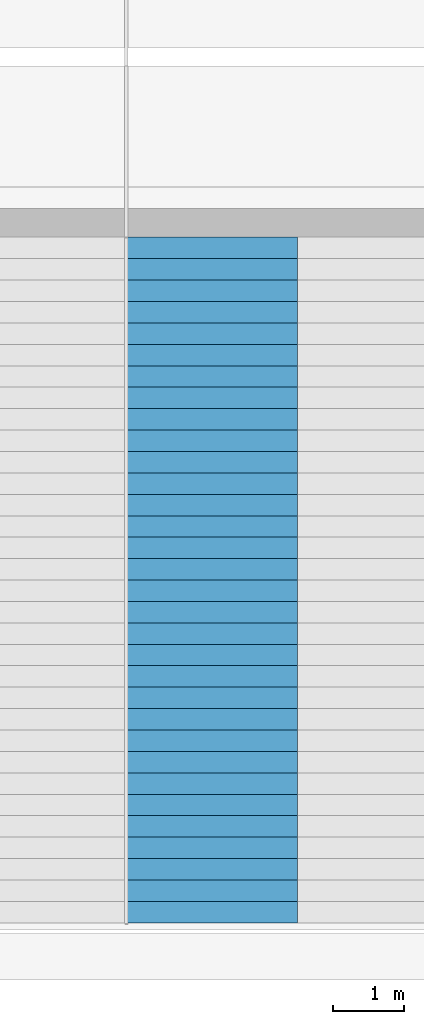
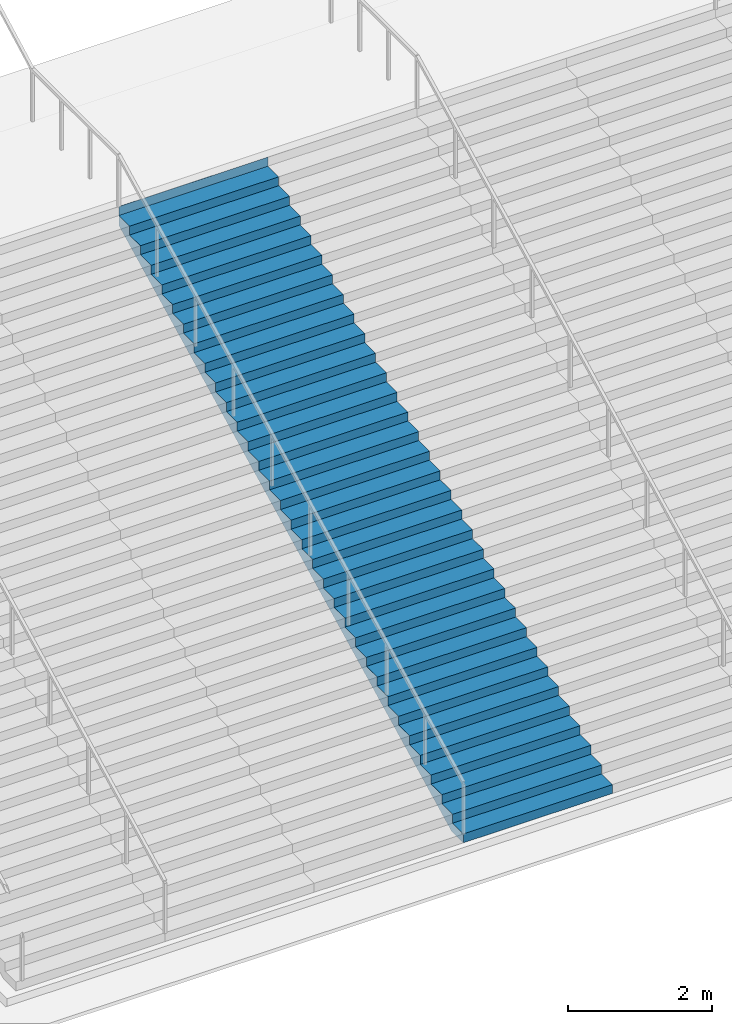
# One storey, part 33 of 57: 1 stair flight, 1 element without a shape of its own.
"""IFC4 building model written with IfcOpenShell, lengths in metres."""

from ifc_helpers import new_model, si_unit, direction, frame, origin, place, context, subcontext, project, spatial, triangles, material, type_object, element, aggregate, save


model = new_model("IFC4")

# Units and contexts
model_context = context("Model", 3, precision=1e-05, world=origin(), true_north=direction((0.0, 1.0)))
body_context = subcontext(model_context, "Body", "Model", "MODEL_VIEW")
ifc_project = project(units=[si_unit("LENGTHUNIT", "METRE"), si_unit("AREAUNIT", "SQUARE_METRE"), si_unit("VOLUMEUNIT", "CUBIC_METRE"), si_unit("PLANEANGLEUNIT", "RADIAN"), si_unit("MASSUNIT", "GRAM", prefix="KILO")], contexts=[model_context])

# Site, building, storey
site_placement = place(None, origin())
site = spatial("IfcSite", under=ifc_project, at=site_placement, CompositionType="ELEMENT")
building_placement = place(site_placement, origin())
building = spatial("IfcBuilding", under=site, at=building_placement, Name="Beryl Residences", CompositionType="ELEMENT")
storey_placement = place(building_placement, origin())
storey = spatial("IfcBuildingStorey", under=building, at=storey_placement, Name="L00", CompositionType="ELEMENT", Elevation=0.0)

# Stair, stair flight
ifc_material_1 = material(Name="Precast concrete C40/50", Category="concrete")
stair_type = type_object("IfcStairType", Name="GS1 garden stair", PredefinedType="STRAIGHT_RUN_STAIR", material=ifc_material_1)
stair_placement = place(storey_placement, origin())
stair = element("IfcStair", 1, at=stair_placement, inside=storey, type_object=stair_type, Name="GS1 garden stair", PredefinedType="STRAIGHT_RUN_STAIR")
ifc_material_2 = material(Name="Precast concrete C40/50", Category="concrete")
stair_flight_type = type_object("IfcStairFlightType", Name="GF1 garden stair flight", PredefinedType="STRAIGHT", material=ifc_material_2)
stair_flight_placement = place(storey_placement, frame((-3.60009765625, -54.199951171875, 0.0), z_axis=(0.0, 0.0, 1.0), x_axis=(0.0, 1.0, 0.0)))
stair_flight = element("IfcStairFlight", 2, at=stair_flight_placement, type_object=stair_flight_type, Name="GS1 flight 4", NumberOfRisers=33, NumberOfTreads=32, PredefinedType="STRAIGHT", RiserHeight=0.151515152, TreadLength=0.3, context=body_context, shape_type="Tessellation", body=[
    triangles([(0.0, -1.199951171875, 0.0), (0.0, -0.60009765625, 0.0), (0.0, 0.0, 0.0), (0.0, 0.60009765625, 0.0), (0.0, 1.199951171875, 0.0), (0.0, -1.199951171875, 0.151611328125), (0.0, -0.60009765625, 0.151611328125), (0.0, 0.0, 0.151611328125), (0.0, 0.60009765625, 0.151611328125), (0.0, 1.199951171875, 0.151611328125), (0.300048828125, -1.199951171875, 0.151611328125), (0.300048828125, -0.60009765625, 0.151611328125), (0.300048828125, 0.0, 0.151611328125), (0.300048828125, 0.60009765625, 0.151611328125), (0.300048828125, 1.199951171875, 0.151611328125), (0.300048828125, -1.199951171875, 0.302978515625), (0.300048828125, -0.60009765625, 0.302978515625), (0.300048828125, 0.0, 0.302978515625), (0.300048828125, 0.60009765625, 0.302978515625), (0.300048828125, 1.199951171875, 0.302978515625), (0.60009765625, -1.199951171875, 0.302978515625), (0.60009765625, -0.60009765625, 0.302978515625), (0.60009765625, 0.0, 0.302978515625), (0.60009765625, 0.60009765625, 0.302978515625), (0.60009765625, 1.199951171875, 0.302978515625), (0.60009765625, -1.199951171875, 0.45458984375), (0.60009765625, -0.60009765625, 0.45458984375), (0.60009765625, 0.0, 0.45458984375), (0.60009765625, 0.60009765625, 0.45458984375), (0.60009765625, 1.199951171875, 0.45458984375), (0.89990234375, -1.199951171875, 0.45458984375), (0.89990234375, -0.60009765625, 0.45458984375), (0.89990234375, 0.0, 0.45458984375), (0.89990234375, 0.60009765625, 0.45458984375), (0.89990234375, 1.199951171875, 0.45458984375), (0.89990234375, -1.199951171875, 0.60595703125), (0.89990234375, -0.60009765625, 0.60595703125), (0.89990234375, 0.0, 0.60595703125), (0.89990234375, 0.60009765625, 0.60595703125), (0.89990234375, 1.199951171875, 0.60595703125), (1.199951171875, -1.199951171875, 0.60595703125), (1.199951171875, -0.60009765625, 0.60595703125), (1.199951171875, 0.0, 0.60595703125), (1.199951171875, 0.60009765625, 0.60595703125), (1.199951171875, 1.199951171875, 0.60595703125), (1.199951171875, -1.199951171875, 0.757568359375), (1.199951171875, -0.60009765625, 0.757568359375), (1.199951171875, 0.0, 0.757568359375), (1.199951171875, 0.60009765625, 0.757568359375), (1.199951171875, 1.199951171875, 0.757568359375), (1.5, -1.199951171875, 0.757568359375), (1.5, -0.60009765625, 0.757568359375), (1.5, 0.0, 0.757568359375), (1.5, 0.60009765625, 0.757568359375), (1.5, 1.199951171875, 0.757568359375), (1.5, -1.199951171875, 0.9091796875), (1.5, -0.60009765625, 0.9091796875), (1.5, 0.0, 0.9091796875), (1.5, 0.60009765625, 0.9091796875), (1.5, 1.199951171875, 0.9091796875), (1.800048828125, -1.199951171875, 0.9091796875), (1.800048828125, -0.60009765625, 0.9091796875), (1.800048828125, 0.0, 0.9091796875), (1.800048828125, 0.60009765625, 0.9091796875), (1.800048828125, 1.199951171875, 0.9091796875), (1.800048828125, -1.199951171875, 1.060546875), (1.800048828125, -0.60009765625, 1.060546875), (1.800048828125, 0.0, 1.060546875), (1.800048828125, 0.60009765625, 1.060546875), (1.800048828125, 1.199951171875, 1.060546875), (2.10009765625, -1.199951171875, 1.060546875), (2.10009765625, -0.60009765625, 1.060546875), (2.10009765625, 0.0, 1.060546875), (2.10009765625, 0.60009765625, 1.060546875), (2.10009765625, 1.199951171875, 1.060546875), (2.10009765625, -1.199951171875, 1.212158203125), (2.10009765625, -0.60009765625, 1.212158203125), (2.10009765625, 0.0, 1.212158203125), (2.10009765625, 0.60009765625, 1.212158203125), (2.10009765625, 1.199951171875, 1.212158203125), (2.39990234375, -1.199951171875, 1.212158203125), (2.39990234375, -0.60009765625, 1.212158203125), (2.39990234375, 0.0, 1.212158203125), (2.39990234375, 0.60009765625, 1.212158203125), (2.39990234375, 1.199951171875, 1.212158203125), (2.39990234375, -1.199951171875, 1.363525390625), (2.39990234375, -0.60009765625, 1.363525390625), (2.39990234375, 0.0, 1.363525390625), (2.39990234375, 0.60009765625, 1.363525390625), (2.39990234375, 1.199951171875, 1.363525390625), (2.699951171875, -1.199951171875, 1.363525390625), (2.699951171875, -0.60009765625, 1.363525390625), (2.699951171875, 0.0, 1.363525390625), (2.699951171875, 0.60009765625, 1.363525390625), (2.699951171875, 1.199951171875, 1.363525390625), (2.699951171875, -1.199951171875, 1.51513671875), (2.699951171875, -0.60009765625, 1.51513671875), (2.699951171875, 0.0, 1.51513671875), (2.699951171875, 0.60009765625, 1.51513671875), (2.699951171875, 1.199951171875, 1.51513671875), (3.0, -1.199951171875, 1.51513671875), (3.0, -0.60009765625, 1.51513671875), (3.0, 0.0, 1.51513671875), (3.0, 0.60009765625, 1.51513671875), (3.0, 1.199951171875, 1.51513671875), (3.0, -1.199951171875, 1.666748046875), (3.0, -0.60009765625, 1.666748046875), (3.0, 0.0, 1.666748046875), (3.0, 0.60009765625, 1.666748046875), (3.0, 1.199951171875, 1.666748046875), (3.300048828125, -1.199951171875, 1.666748046875), (3.300048828125, -0.60009765625, 1.666748046875), (3.300048828125, 0.0, 1.666748046875), (3.300048828125, 0.60009765625, 1.666748046875), (3.300048828125, 1.199951171875, 1.666748046875), (3.300048828125, -1.199951171875, 1.818115234375), (3.300048828125, -0.60009765625, 1.818115234375), (3.300048828125, 0.0, 1.818115234375), (3.300048828125, 0.60009765625, 1.818115234375), (3.300048828125, 1.199951171875, 1.818115234375), (3.60009765625, -1.199951171875, 1.818115234375), (3.60009765625, -0.60009765625, 1.818115234375), (3.60009765625, 0.0, 1.818115234375), (3.60009765625, 0.60009765625, 1.818115234375), (3.60009765625, 1.199951171875, 1.818115234375), (3.60009765625, -1.199951171875, 1.9697265625), (3.60009765625, -0.60009765625, 1.9697265625), (3.60009765625, 0.0, 1.9697265625), (3.60009765625, 0.60009765625, 1.9697265625), (3.60009765625, 1.199951171875, 1.9697265625), (3.89990234375, -1.199951171875, 1.9697265625), (3.89990234375, -0.60009765625, 1.9697265625), (3.89990234375, 0.0, 1.9697265625), (3.89990234375, 0.60009765625, 1.9697265625), (3.89990234375, 1.199951171875, 1.9697265625), (3.89990234375, -1.199951171875, 2.12109375), (3.89990234375, -0.60009765625, 2.12109375), (3.89990234375, 0.0, 2.12109375), (3.89990234375, 0.60009765625, 2.12109375), (3.89990234375, 1.199951171875, 2.12109375), (4.199951171875, -1.199951171875, 2.12109375), (4.199951171875, -0.60009765625, 2.12109375), (4.199951171875, 0.0, 2.12109375), (4.199951171875, 0.60009765625, 2.12109375), (4.199951171875, 1.199951171875, 2.12109375), (4.199951171875, -1.199951171875, 2.272705078125), (4.199951171875, -0.60009765625, 2.272705078125), (4.199951171875, 0.0, 2.272705078125), (4.199951171875, 0.60009765625, 2.272705078125), (4.199951171875, 1.199951171875, 2.272705078125), (4.5, -1.199951171875, 2.272705078125), (4.5, -0.60009765625, 2.272705078125), (4.5, 0.0, 2.272705078125), (4.5, 0.60009765625, 2.272705078125), (4.5, 1.199951171875, 2.272705078125), (4.5, -1.199951171875, 2.42431640625), (4.5, -0.60009765625, 2.42431640625), (4.5, 0.0, 2.42431640625), (4.5, 0.60009765625, 2.42431640625), (4.5, 1.199951171875, 2.42431640625), (4.800048828125, -1.199951171875, 2.42431640625), (4.800048828125, -0.60009765625, 2.42431640625), (4.800048828125, 0.0, 2.42431640625), (4.800048828125, 0.60009765625, 2.42431640625), (4.800048828125, 1.199951171875, 2.42431640625), (4.800048828125, -1.199951171875, 2.57568359375), (4.800048828125, -0.60009765625, 2.57568359375), (4.800048828125, 0.0, 2.57568359375), (4.800048828125, 0.60009765625, 2.57568359375), (4.800048828125, 1.199951171875, 2.57568359375), (5.10009765625, -1.199951171875, 2.57568359375), (5.10009765625, -0.60009765625, 2.57568359375), (5.10009765625, 0.0, 2.57568359375), (5.10009765625, 0.60009765625, 2.57568359375), (5.10009765625, 1.199951171875, 2.57568359375), (5.10009765625, -1.199951171875, 2.727294921875), (5.10009765625, -0.60009765625, 2.727294921875), (5.10009765625, 0.0, 2.727294921875), (5.10009765625, 0.60009765625, 2.727294921875), (5.10009765625, 1.199951171875, 2.727294921875), (5.39990234375, -1.199951171875, 2.727294921875), (5.39990234375, -0.60009765625, 2.727294921875), (5.39990234375, 0.0, 2.727294921875), (5.39990234375, 0.60009765625, 2.727294921875), (5.39990234375, 1.199951171875, 2.727294921875), (5.39990234375, -1.199951171875, 2.87890625), (5.39990234375, -0.60009765625, 2.87890625), (5.39990234375, 0.0, 2.87890625), (5.39990234375, 0.60009765625, 2.87890625), (5.39990234375, 1.199951171875, 2.87890625), (5.699951171875, -1.199951171875, 2.87890625), (5.699951171875, -0.60009765625, 2.87890625), (5.699951171875, 0.0, 2.87890625), (5.699951171875, 0.60009765625, 2.87890625), (5.699951171875, 1.199951171875, 2.87890625), (5.699951171875, -1.199951171875, 3.0302734375), (5.699951171875, -0.60009765625, 3.0302734375), (5.699951171875, 0.0, 3.0302734375), (5.699951171875, 0.60009765625, 3.0302734375), (5.699951171875, 1.199951171875, 3.0302734375), (6.0, -1.199951171875, 3.0302734375), (6.0, -0.60009765625, 3.0302734375), (6.0, 0.0, 3.0302734375), (6.0, 0.60009765625, 3.0302734375), (6.0, 1.199951171875, 3.0302734375), (6.0, -1.199951171875, 3.181884765625), (6.0, -0.60009765625, 3.181884765625), (6.0, 0.0, 3.181884765625), (6.0, 0.60009765625, 3.181884765625), (6.0, 1.199951171875, 3.181884765625), (6.300048828125, -1.199951171875, 3.181884765625), (6.300048828125, -0.60009765625, 3.181884765625), (6.300048828125, 0.0, 3.181884765625), (6.300048828125, 0.60009765625, 3.181884765625), (6.300048828125, 1.199951171875, 3.181884765625), (6.300048828125, -1.199951171875, 3.333251953125), (6.300048828125, -0.60009765625, 3.333251953125), (6.300048828125, 0.0, 3.333251953125), (6.300048828125, 0.60009765625, 3.333251953125), (6.300048828125, 1.199951171875, 3.333251953125), (6.60009765625, -1.199951171875, 3.333251953125), (6.60009765625, -0.60009765625, 3.333251953125), (6.60009765625, 0.0, 3.333251953125), (6.60009765625, 0.60009765625, 3.333251953125), (6.60009765625, 1.199951171875, 3.333251953125), (6.60009765625, -1.199951171875, 3.48486328125), (6.60009765625, -0.60009765625, 3.48486328125), (6.60009765625, 0.0, 3.48486328125), (6.60009765625, 0.60009765625, 3.48486328125), (6.60009765625, 1.199951171875, 3.48486328125), (6.89990234375, -1.199951171875, 3.48486328125), (6.89990234375, -0.60009765625, 3.48486328125), (6.89990234375, 0.0, 3.48486328125), (6.89990234375, 0.60009765625, 3.48486328125), (6.89990234375, 1.199951171875, 3.48486328125), (6.89990234375, -1.199951171875, 3.636474609375), (6.89990234375, -0.60009765625, 3.636474609375), (6.89990234375, 0.0, 3.636474609375), (6.89990234375, 0.60009765625, 3.636474609375), (6.89990234375, 1.199951171875, 3.636474609375), (7.199951171875, -1.199951171875, 3.636474609375), (7.199951171875, -0.60009765625, 3.636474609375), (7.199951171875, 0.0, 3.636474609375), (7.199951171875, 0.60009765625, 3.636474609375), (7.199951171875, 1.199951171875, 3.636474609375), (7.199951171875, -1.199951171875, 3.787841796875), (7.199951171875, -0.60009765625, 3.787841796875), (7.199951171875, 0.0, 3.787841796875), (7.199951171875, 0.60009765625, 3.787841796875), (7.199951171875, 1.199951171875, 3.787841796875), (7.5, -1.199951171875, 3.787841796875), (7.5, -0.60009765625, 3.787841796875), (7.5, 0.0, 3.787841796875), (7.5, 0.60009765625, 3.787841796875), (7.5, 1.199951171875, 3.787841796875), (7.5, -1.199951171875, 3.939453125), (7.5, -0.60009765625, 3.939453125), (7.5, 0.0, 3.939453125), (7.5, 0.60009765625, 3.939453125), (7.5, 1.199951171875, 3.939453125), (7.800048828125, -1.199951171875, 3.939453125), (7.800048828125, -0.60009765625, 3.939453125), (7.800048828125, 0.0, 3.939453125), (7.800048828125, 0.60009765625, 3.939453125), (7.800048828125, 1.199951171875, 3.939453125), (7.800048828125, -1.199951171875, 4.0908203125), (7.800048828125, -0.60009765625, 4.0908203125), (7.800048828125, 0.0, 4.0908203125), (7.800048828125, 0.60009765625, 4.0908203125), (7.800048828125, 1.199951171875, 4.0908203125), (8.10009765625, -1.199951171875, 4.0908203125), (8.10009765625, -0.60009765625, 4.0908203125), (8.10009765625, 0.0, 4.0908203125), (8.10009765625, 0.60009765625, 4.0908203125), (8.10009765625, 1.199951171875, 4.0908203125), (8.10009765625, -1.199951171875, 4.242431640625), (8.10009765625, -0.60009765625, 4.242431640625), (8.10009765625, 0.0, 4.242431640625), (8.10009765625, 0.60009765625, 4.242431640625), (8.10009765625, 1.199951171875, 4.242431640625), (8.39990234375, -1.199951171875, 4.242431640625), (8.39990234375, -0.60009765625, 4.242431640625), (8.39990234375, 0.0, 4.242431640625), (8.39990234375, 0.60009765625, 4.242431640625), (8.39990234375, 1.199951171875, 4.242431640625), (8.39990234375, -1.199951171875, 4.39404296875), (8.39990234375, -0.60009765625, 4.39404296875), (8.39990234375, 0.0, 4.39404296875), (8.39990234375, 0.60009765625, 4.39404296875), (8.39990234375, 1.199951171875, 4.39404296875), (8.699951171875, -1.199951171875, 4.39404296875), (8.699951171875, -0.60009765625, 4.39404296875), (8.699951171875, 0.0, 4.39404296875), (8.699951171875, 0.60009765625, 4.39404296875), (8.699951171875, 1.199951171875, 4.39404296875), (8.699951171875, -1.199951171875, 4.54541015625), (8.699951171875, -0.60009765625, 4.54541015625), (8.699951171875, 0.0, 4.54541015625), (8.699951171875, 0.60009765625, 4.54541015625), (8.699951171875, 1.199951171875, 4.54541015625), (9.0, -1.199951171875, 4.54541015625), (9.0, -0.60009765625, 4.54541015625), (9.0, 0.0, 4.54541015625), (9.0, 0.60009765625, 4.54541015625), (9.0, 1.199951171875, 4.54541015625), (9.0, -1.199951171875, 4.697021484375), (9.0, -0.60009765625, 4.697021484375), (9.0, 0.0, 4.697021484375), (9.0, 0.60009765625, 4.697021484375), (9.0, 1.199951171875, 4.697021484375), (9.300048828125, -1.199951171875, 4.697021484375), (9.300048828125, -0.60009765625, 4.697021484375), (9.300048828125, 0.0, 4.697021484375), (9.300048828125, 0.60009765625, 4.697021484375), (9.300048828125, 1.199951171875, 4.697021484375), (9.300048828125, -1.199951171875, 4.848388671875), (9.300048828125, -0.60009765625, 4.848388671875), (9.300048828125, 0.0, 4.848388671875), (9.300048828125, 0.60009765625, 4.848388671875), (9.300048828125, 1.199951171875, 4.848388671875), (9.60009765625, -1.199951171875, 4.848388671875), (9.60009765625, -0.60009765625, 4.848388671875), (9.60009765625, 0.0, 4.848388671875), (9.60009765625, 0.60009765625, 4.848388671875), (9.60009765625, 1.199951171875, 4.848388671875), (9.60009765625, -1.199951171875, 5.0), (9.60009765625, -0.60009765625, 5.0), (9.60009765625, 0.0, 5.0), (9.60009765625, 0.60009765625, 5.0), (9.60009765625, 1.199951171875, 5.0), (9.60107421875, -1.199951171875, 5.0), (9.60107421875, -0.60009765625, 5.0), (9.60107421875, 0.0, 5.0), (9.60107421875, 0.60009765625, 5.0), (9.60107421875, 1.199951171875, 5.0), (9.60107421875, -1.199951171875, 4.6806640625), (9.60107421875, -0.60009765625, 4.6806640625), (9.60107421875, 0.0, 4.6806640625), (9.60107421875, 0.60009765625, 4.6806640625), (9.60107421875, 1.199951171875, 4.6806640625), (0.33349609375, -1.199951171875, 0.0), (0.33349609375, -0.60009765625, 0.0), (0.33349609375, 0.0, 0.0), (0.33349609375, 0.60009765625, 0.0), (0.33349609375, 1.199951171875, 0.0)], [[1, 6, 7], [1, 7, 2], [2, 7, 8], [2, 8, 3], [3, 8, 9], [3, 9, 4], [4, 9, 10], [4, 10, 5], [6, 11, 12], [6, 12, 7], [7, 12, 13], [7, 13, 8], [8, 13, 14], [8, 14, 9], [9, 14, 15], [9, 15, 10], [11, 16, 17], [11, 17, 12], [12, 17, 18], [12, 18, 13], [13, 18, 19], [13, 19, 14], [14, 19, 20], [14, 20, 15], [16, 21, 22], [16, 22, 17], [17, 22, 23], [17, 23, 18], [18, 23, 24], [18, 24, 19], [19, 24, 25], [19, 25, 20], [21, 26, 27], [21, 27, 22], [22, 27, 28], [22, 28, 23], [23, 28, 29], [23, 29, 24], [24, 29, 30], [24, 30, 25], [26, 31, 32], [26, 32, 27], [27, 32, 33], [27, 33, 28], [28, 33, 34], [28, 34, 29], [29, 34, 35], [29, 35, 30], [31, 36, 37], [31, 37, 32], [32, 37, 38], [32, 38, 33], [33, 38, 39], [33, 39, 34], [34, 39, 40], [34, 40, 35], [36, 41, 42], [36, 42, 37], [37, 42, 43], [37, 43, 38], [38, 43, 44], [38, 44, 39], [39, 44, 45], [39, 45, 40], [41, 46, 47], [41, 47, 42], [42, 47, 48], [42, 48, 43], [43, 48, 49], [43, 49, 44], [44, 49, 50], [44, 50, 45], [46, 51, 52], [46, 52, 47], [47, 52, 53], [47, 53, 48], [48, 53, 54], [48, 54, 49], [49, 54, 55], [49, 55, 50], [51, 56, 57], [51, 57, 52], [52, 57, 58], [52, 58, 53], [53, 58, 59], [53, 59, 54], [54, 59, 60], [54, 60, 55], [56, 61, 62], [56, 62, 57], [57, 62, 63], [57, 63, 58], [58, 63, 64], [58, 64, 59], [59, 64, 65], [59, 65, 60], [61, 66, 67], [61, 67, 62], [62, 67, 68], [62, 68, 63], [63, 68, 69], [63, 69, 64], [64, 69, 70], [64, 70, 65], [66, 71, 72], [66, 72, 67], [67, 72, 73], [67, 73, 68], [68, 73, 74], [68, 74, 69], [69, 74, 75], [69, 75, 70], [71, 76, 77], [71, 77, 72], [72, 77, 78], [72, 78, 73], [73, 78, 79], [73, 79, 74], [74, 79, 80], [74, 80, 75], [76, 81, 82], [76, 82, 77], [77, 82, 83], [77, 83, 78], [78, 83, 84], [78, 84, 79], [79, 84, 85], [79, 85, 80], [81, 86, 87], [81, 87, 82], [82, 87, 88], [82, 88, 83], [83, 88, 89], [83, 89, 84], [84, 89, 90], [84, 90, 85], [86, 91, 92], [86, 92, 87], [87, 92, 93], [87, 93, 88], [88, 93, 94], [88, 94, 89], [89, 94, 95], [89, 95, 90], [91, 96, 97], [91, 97, 92], [92, 97, 98], [92, 98, 93], [93, 98, 99], [93, 99, 94], [94, 99, 100], [94, 100, 95], [96, 101, 102], [96, 102, 97], [97, 102, 103], [97, 103, 98], [98, 103, 104], [98, 104, 99], [99, 104, 105], [99, 105, 100], [101, 106, 107], [101, 107, 102], [102, 107, 108], [102, 108, 103], [103, 108, 109], [103, 109, 104], [104, 109, 110], [104, 110, 105], [106, 111, 112], [106, 112, 107], [107, 112, 113], [107, 113, 108], [108, 113, 114], [108, 114, 109], [109, 114, 115], [109, 115, 110], [111, 116, 117], [111, 117, 112], [112, 117, 118], [112, 118, 113], [113, 118, 119], [113, 119, 114], [114, 119, 120], [114, 120, 115], [116, 121, 122], [116, 122, 117], [117, 122, 123], [117, 123, 118], [118, 123, 124], [118, 124, 119], [119, 124, 125], [119, 125, 120], [121, 126, 127], [121, 127, 122], [122, 127, 128], [122, 128, 123], [123, 128, 129], [123, 129, 124], [124, 129, 130], [124, 130, 125], [126, 131, 132], [126, 132, 127], [127, 132, 133], [127, 133, 128], [128, 133, 134], [128, 134, 129], [129, 134, 135], [129, 135, 130], [131, 136, 137], [131, 137, 132], [132, 137, 138], [132, 138, 133], [133, 138, 139], [133, 139, 134], [134, 139, 140], [134, 140, 135], [136, 141, 142], [136, 142, 137], [137, 142, 143], [137, 143, 138], [138, 143, 144], [138, 144, 139], [139, 144, 145], [139, 145, 140], [141, 146, 147], [141, 147, 142], [142, 147, 148], [142, 148, 143], [143, 148, 149], [143, 149, 144], [144, 149, 150], [144, 150, 145], [146, 151, 152], [146, 152, 147], [147, 152, 153], [147, 153, 148], [148, 153, 154], [148, 154, 149], [149, 154, 155], [149, 155, 150], [151, 156, 157], [151, 157, 152], [152, 157, 158], [152, 158, 153], [153, 158, 159], [153, 159, 154], [154, 159, 160], [154, 160, 155], [156, 161, 162], [156, 162, 157], [157, 162, 163], [157, 163, 158], [158, 163, 164], [158, 164, 159], [159, 164, 165], [159, 165, 160], [161, 166, 167], [161, 167, 162], [162, 167, 168], [162, 168, 163], [163, 168, 169], [163, 169, 164], [164, 169, 170], [164, 170, 165], [166, 171, 172], [166, 172, 167], [167, 172, 173], [167, 173, 168], [168, 173, 174], [168, 174, 169], [169, 174, 175], [169, 175, 170], [171, 176, 177], [171, 177, 172], [172, 177, 178], [172, 178, 173], [173, 178, 179], [173, 179, 174], [174, 179, 180], [174, 180, 175], [176, 181, 182], [176, 182, 177], [177, 182, 183], [177, 183, 178], [178, 183, 184], [178, 184, 179], [179, 184, 185], [179, 185, 180], [181, 186, 187], [181, 187, 182], [182, 187, 188], [182, 188, 183], [183, 188, 189], [183, 189, 184], [184, 189, 190], [184, 190, 185], [186, 191, 192], [186, 192, 187], [187, 192, 193], [187, 193, 188], [188, 193, 194], [188, 194, 189], [189, 194, 195], [189, 195, 190], [191, 196, 197], [191, 197, 192], [192, 197, 198], [192, 198, 193], [193, 198, 199], [193, 199, 194], [194, 199, 200], [194, 200, 195], [196, 201, 202], [196, 202, 197], [197, 202, 203], [197, 203, 198], [198, 203, 204], [198, 204, 199], [199, 204, 205], [199, 205, 200], [201, 206, 207], [201, 207, 202], [202, 207, 208], [202, 208, 203], [203, 208, 209], [203, 209, 204], [204, 209, 210], [204, 210, 205], [206, 211, 212], [206, 212, 207], [207, 212, 213], [207, 213, 208], [208, 213, 214], [208, 214, 209], [209, 214, 215], [209, 215, 210], [211, 216, 217], [211, 217, 212], [212, 217, 218], [212, 218, 213], [213, 218, 219], [213, 219, 214], [214, 219, 220], [214, 220, 215], [216, 221, 222], [216, 222, 217], [217, 222, 223], [217, 223, 218], [218, 223, 224], [218, 224, 219], [219, 224, 225], [219, 225, 220], [221, 226, 227], [221, 227, 222], [222, 227, 228], [222, 228, 223], [223, 228, 229], [223, 229, 224], [224, 229, 230], [224, 230, 225], [226, 231, 232], [226, 232, 227], [227, 232, 233], [227, 233, 228], [228, 233, 234], [228, 234, 229], [229, 234, 235], [229, 235, 230], [231, 236, 237], [231, 237, 232], [232, 237, 238], [232, 238, 233], [233, 238, 239], [233, 239, 234], [234, 239, 240], [234, 240, 235], [236, 241, 242], [236, 242, 237], [237, 242, 243], [237, 243, 238], [238, 243, 244], [238, 244, 239], [239, 244, 245], [239, 245, 240], [241, 246, 247], [241, 247, 242], [242, 247, 248], [242, 248, 243], [243, 248, 249], [243, 249, 244], [244, 249, 250], [244, 250, 245], [246, 251, 252], [246, 252, 247], [247, 252, 253], [247, 253, 248], [248, 253, 254], [248, 254, 249], [249, 254, 255], [249, 255, 250], [251, 256, 257], [251, 257, 252], [252, 257, 258], [252, 258, 253], [253, 258, 259], [253, 259, 254], [254, 259, 260], [254, 260, 255], [256, 261, 262], [256, 262, 257], [257, 262, 263], [257, 263, 258], [258, 263, 264], [258, 264, 259], [259, 264, 265], [259, 265, 260], [261, 266, 267], [261, 267, 262], [262, 267, 268], [262, 268, 263], [263, 268, 269], [263, 269, 264], [264, 269, 270], [264, 270, 265], [266, 271, 272], [266, 272, 267], [267, 272, 273], [267, 273, 268], [268, 273, 274], [268, 274, 269], [269, 274, 275], [269, 275, 270], [271, 276, 277], [271, 277, 272], [272, 277, 278], [272, 278, 273], [273, 278, 279], [273, 279, 274], [274, 279, 280], [274, 280, 275], [276, 281, 282], [276, 282, 277], [277, 282, 283], [277, 283, 278], [278, 283, 284], [278, 284, 279], [279, 284, 285], [279, 285, 280], [281, 286, 287], [281, 287, 282], [282, 287, 288], [282, 288, 283], [283, 288, 289], [283, 289, 284], [284, 289, 290], [284, 290, 285], [286, 291, 292], [286, 292, 287], [287, 292, 293], [287, 293, 288], [288, 293, 294], [288, 294, 289], [289, 294, 295], [289, 295, 290], [291, 296, 297], [291, 297, 292], [292, 297, 298], [292, 298, 293], [293, 298, 299], [293, 299, 294], [294, 299, 300], [294, 300, 295], [296, 301, 302], [296, 302, 297], [297, 302, 303], [297, 303, 298], [298, 303, 304], [298, 304, 299], [299, 304, 305], [299, 305, 300], [301, 306, 307], [301, 307, 302], [302, 307, 308], [302, 308, 303], [303, 308, 309], [303, 309, 304], [304, 309, 310], [304, 310, 305], [306, 311, 312], [306, 312, 307], [307, 312, 313], [307, 313, 308], [308, 313, 314], [308, 314, 309], [309, 314, 315], [309, 315, 310], [311, 316, 317], [311, 317, 312], [312, 317, 318], [312, 318, 313], [313, 318, 319], [313, 319, 314], [314, 319, 320], [314, 320, 315], [316, 321, 322], [316, 322, 317], [317, 322, 323], [317, 323, 318], [318, 323, 324], [318, 324, 319], [319, 324, 325], [319, 325, 320], [321, 326, 327], [321, 327, 322], [322, 327, 328], [322, 328, 323], [323, 328, 329], [323, 329, 324], [324, 329, 330], [324, 330, 325], [326, 331, 332], [326, 332, 327], [327, 332, 333], [327, 333, 328], [328, 333, 334], [328, 334, 329], [329, 334, 335], [329, 335, 330], [331, 336, 337], [331, 337, 332], [332, 337, 338], [332, 338, 333], [333, 338, 339], [333, 339, 334], [334, 339, 340], [334, 340, 335], [336, 341, 342], [336, 342, 337], [337, 342, 343], [337, 343, 338], [338, 343, 344], [338, 344, 339], [339, 344, 345], [339, 345, 340], [341, 1, 2], [341, 2, 342], [342, 2, 3], [342, 3, 343], [343, 3, 4], [343, 4, 344], [344, 4, 5], [344, 5, 345], [1, 341, 336], [5, 340, 345], [336, 331, 326], [340, 330, 335], [336, 326, 321], [340, 325, 330], [336, 321, 316], [340, 320, 325], [336, 316, 311], [340, 315, 320], [336, 311, 306], [340, 310, 315], [336, 306, 301], [340, 305, 310], [301, 296, 291], [305, 295, 300], [336, 301, 291], [340, 295, 305], [291, 286, 281], [295, 285, 290], [336, 291, 281], [340, 285, 295], [281, 276, 271], [285, 275, 280], [336, 281, 271], [340, 275, 285], [271, 266, 261], [275, 265, 270], [336, 271, 261], [340, 265, 275], [261, 256, 251], [265, 255, 260], [336, 261, 251], [340, 255, 265], [251, 246, 241], [255, 245, 250], [336, 251, 241], [340, 245, 255], [241, 236, 231], [245, 235, 240], [336, 241, 231], [340, 235, 245], [231, 226, 221], [235, 225, 230], [336, 231, 221], [340, 225, 235], [221, 216, 211], [225, 215, 220], [336, 221, 211], [340, 215, 225], [211, 206, 201], [215, 205, 210], [336, 211, 201], [340, 205, 215], [201, 196, 191], [205, 195, 200], [336, 201, 191], [340, 195, 205], [191, 186, 181], [195, 185, 190], [336, 191, 181], [340, 185, 195], [181, 176, 171], [185, 175, 180], [336, 181, 171], [340, 175, 185], [171, 166, 161], [175, 165, 170], [336, 171, 161], [340, 165, 175], [161, 156, 151], [165, 155, 160], [336, 161, 151], [340, 155, 165], [151, 146, 141], [155, 145, 150], [336, 151, 141], [340, 145, 155], [141, 136, 131], [145, 135, 140], [336, 141, 131], [340, 135, 145], [131, 126, 121], [135, 125, 130], [336, 131, 121], [340, 125, 135], [121, 116, 111], [125, 115, 120], [336, 121, 111], [340, 115, 125], [111, 106, 101], [115, 105, 110], [336, 111, 101], [340, 105, 115], [101, 96, 91], [105, 95, 100], [336, 101, 91], [340, 95, 105], [91, 86, 81], [95, 85, 90], [336, 91, 81], [340, 85, 95], [81, 76, 71], [85, 75, 80], [336, 81, 71], [340, 75, 85], [71, 66, 61], [75, 65, 70], [336, 71, 61], [340, 65, 75], [61, 56, 51], [65, 55, 60], [336, 61, 51], [340, 55, 65], [51, 46, 41], [55, 45, 50], [336, 51, 41], [340, 45, 55], [41, 36, 31], [45, 35, 40], [336, 41, 31], [340, 35, 45], [31, 26, 21], [35, 25, 30], [336, 31, 21], [340, 25, 35], [1, 336, 21], [5, 25, 340], [21, 16, 11], [25, 15, 20], [1, 21, 11], [5, 15, 25], [11, 6, 1], [15, 5, 10]], closed=True),
])
aggregate(stair, [stair_flight])

save(model, "model.ifc")
